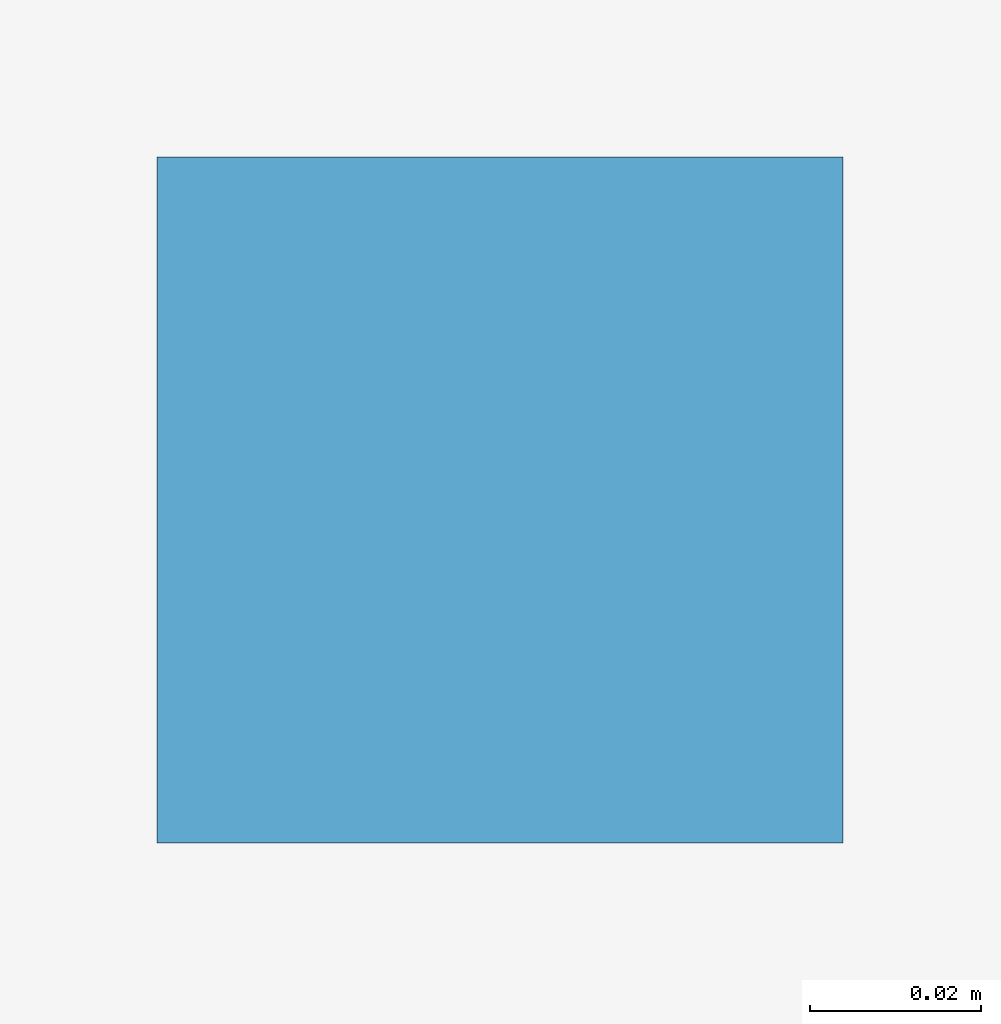
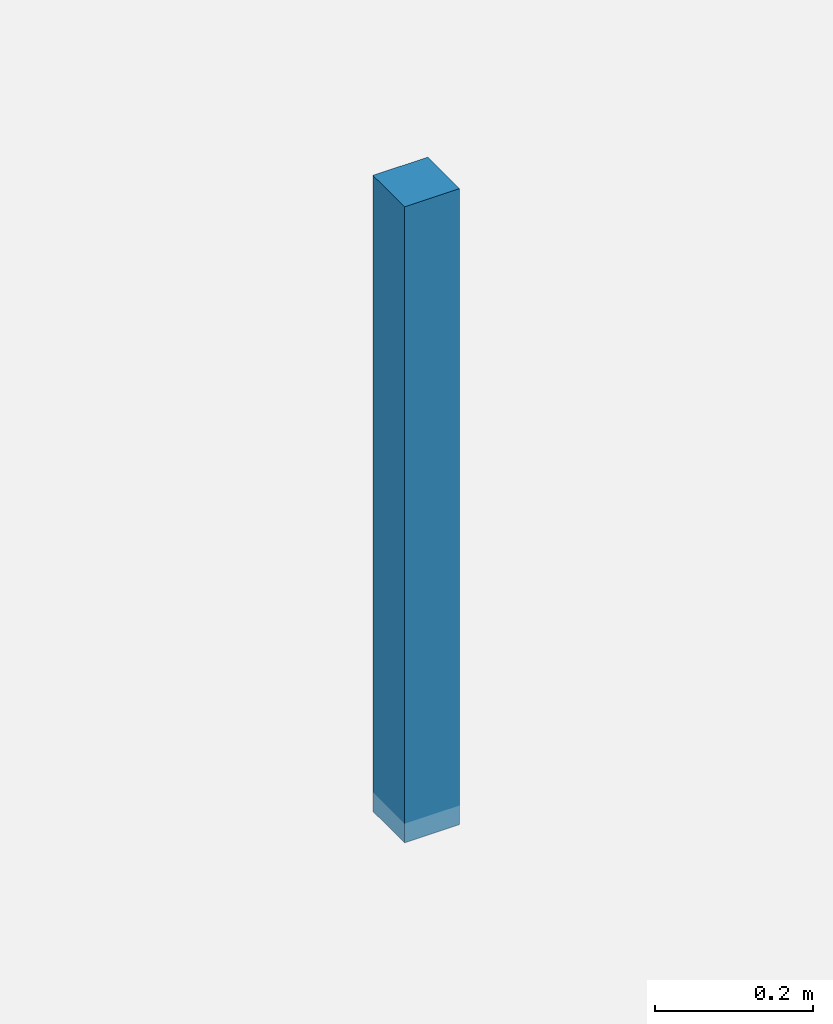
# One storey, part 11 of 15: 1 discrete accessory.
"""IFC4 building model written with IfcOpenShell, lengths in metres."""

from ifc_helpers import new_model, si_unit, direction, frame, origin, origin_2d, place, context, subcontext, project, spatial, rectangle, extrude, source, transform, mapped, material, type_object, element, save


model = new_model("IFC4")

# Units and contexts
model_context = context("Model", 3, precision=1e-05, world=origin(), true_north=direction((0.0, 1.0)))
body_context = subcontext(model_context, "Body", "Model", "MODEL_VIEW")
ifc_project = project(units=[si_unit("LENGTHUNIT", "METRE"), si_unit("AREAUNIT", "SQUARE_METRE"), si_unit("VOLUMEUNIT", "CUBIC_METRE"), si_unit("PLANEANGLEUNIT", "RADIAN"), si_unit("MASSUNIT", "GRAM", prefix="KILO")], contexts=[model_context])

# Site, building, storey
site_placement = place(None, origin())
site = spatial("IfcSite", under=ifc_project, at=site_placement, CompositionType="ELEMENT")
building_placement = place(site_placement, origin())
building = spatial("IfcBuilding", under=site, at=building_placement, Name="Giltprow Tower", CompositionType="ELEMENT")
storey_placement = place(building_placement, frame((0.0, 0.0, 123.10009765625)))
storey = spatial("IfcBuildingStorey", under=building, at=storey_placement, Name="L30", CompositionType="ELEMENT", Elevation=123.10009765625)

# Discrete accessory
ifc_material = material(Name="Structural steel Q355B", Category="steel")
discrete_accessory_type = type_object("IfcDiscreteAccessoryType", Name="ACC-CLG-HANGER", PredefinedType="BRACKET", material=ifc_material)
shared_shape = source(origin(), body_context, "Body", "SweptSolid", [
    extrude(rectangle(XDim=0.080078125, YDim=0.080078125, at=origin_2d()), origin(), (0.0, 0.0, 1.0), 0.97998046875),
])
discrete_accessory_placement = place(storey_placement, frame((25.39990234375, 20.333984375, 2.719970703125), z_axis=(0.0, 0.0, 1.0), x_axis=(1.0, 0.0, 0.0)))
element("IfcDiscreteAccessory", 1, at=discrete_accessory_placement, inside=storey, type_object=discrete_accessory_type, Name="L30 Office Acoustic Ceiling Suspension Hanger", PredefinedType="BRACKET", context=body_context, shape_type="MappedRepresentation", body=[
    mapped(shared_shape, transform((0.0, 0.0, 0.0), x_axis=(1.0, 0.0, 0.0), y_axis=(0.0, 1.0, 0.0), z_axis=(0.0, 0.0, 1.0), scale=1.0)),
])

save(model, "model.ifc")
